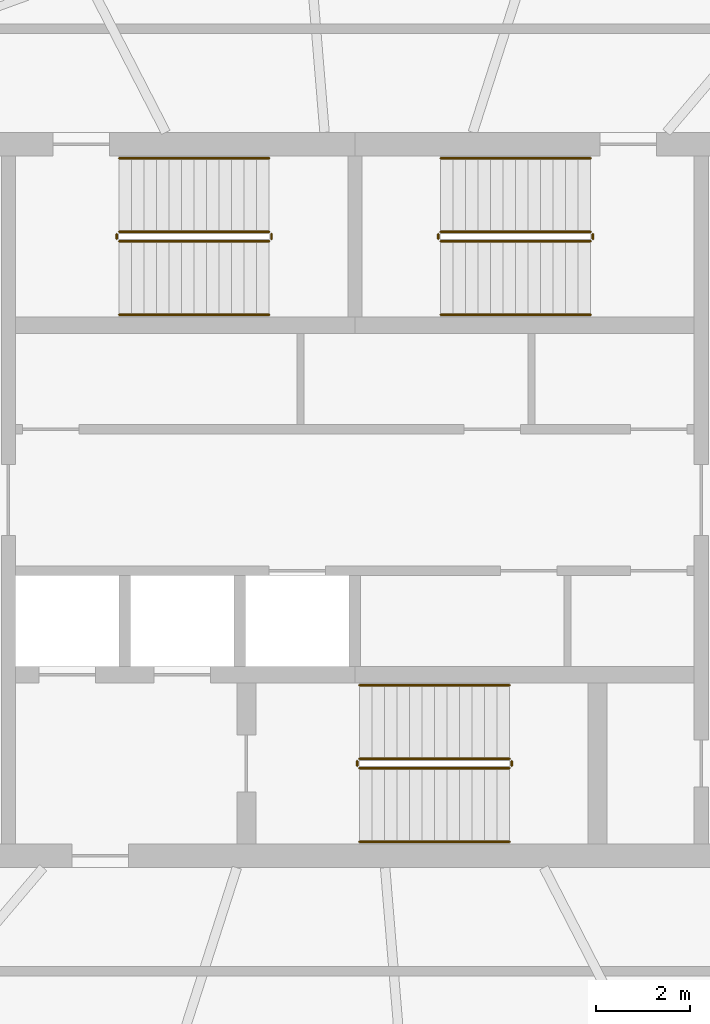
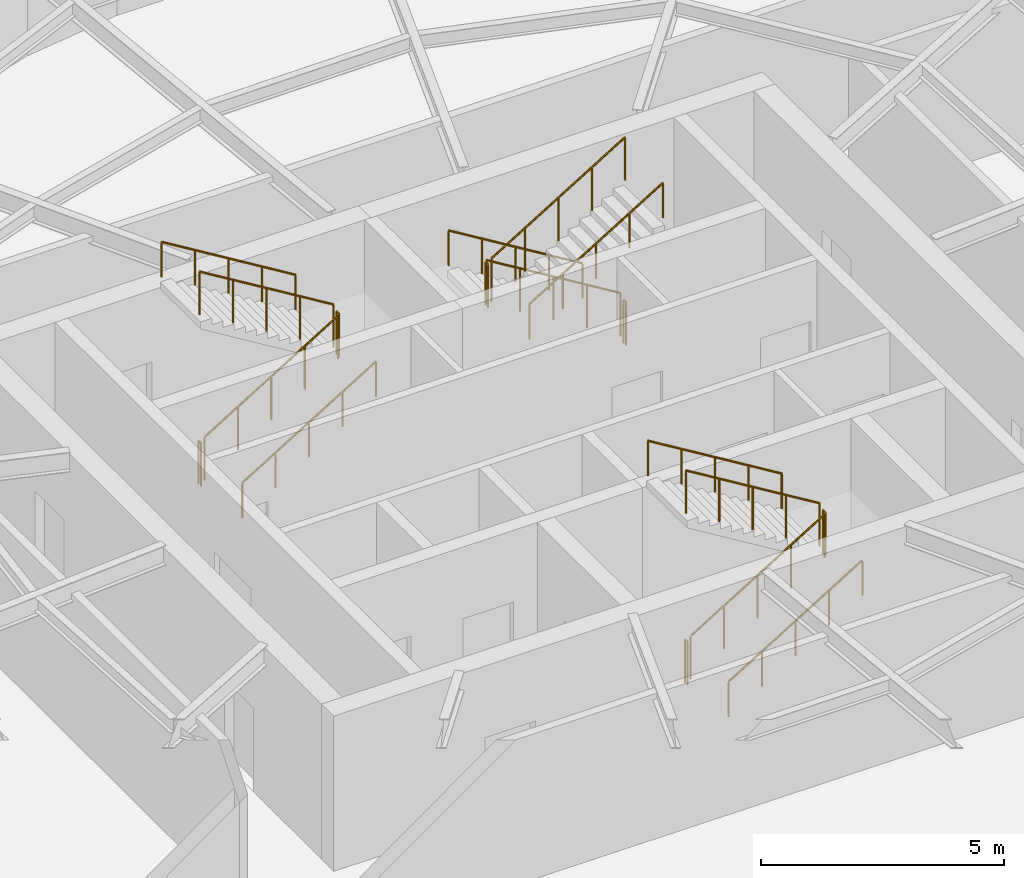
# One storey, part 6 of 6: 18 railings.
"""IFC4 building model written with IfcOpenShell, lengths in metres."""

from ifc_helpers import new_model, si_unit, direction, frame, origin, origin_2d, place, context, subcontext, project, spatial, circle, extrude, material, type_object, element, save


model = new_model("IFC4")

# Units and contexts
model_context = context("Model", 3, precision=1e-05, world=origin(), true_north=direction((0.0, 1.0)))
body_context = subcontext(model_context, "Body", "Model", "MODEL_VIEW")
ifc_project = project(units=[si_unit("LENGTHUNIT", "METRE"), si_unit("AREAUNIT", "SQUARE_METRE"), si_unit("VOLUMEUNIT", "CUBIC_METRE"), si_unit("PLANEANGLEUNIT", "RADIAN"), si_unit("MASSUNIT", "GRAM", prefix="KILO")], contexts=[model_context])

# Site, building, storey
site_placement = place(None, origin())
site = spatial("IfcSite", under=ifc_project, at=site_placement, CompositionType="ELEMENT")
building_placement = place(site_placement, origin())
building = spatial("IfcBuilding", under=site, at=building_placement, Name="Vermilion Reach Broadcast Tower", CompositionType="ELEMENT")
storey_placement = place(building_placement, frame((0.0, 0.0, 312.89990234375)))
storey = spatial("IfcBuildingStorey", under=building, at=storey_placement, Name="L78 CROWN", CompositionType="ELEMENT", Elevation=312.89990234375)

# Railings
ifc_material_1 = material(Name="Stainless steel", Category="steel")
railing_type_1 = type_object("IfcRailingType", Name="Stair guard 1100", PredefinedType="GUARDRAIL", material=ifc_material_1)
railing_1_placement = place(storey_placement, frame((-11.0, 5.489990234375, 0.16162109375)))
element("IfcRailing", 1, at=railing_1_placement, inside=storey, type_object=railing_type_1, Name="L78 CROWN ST1 stair guard 1", PredefinedType="GUARDRAIL", context=body_context, shape_type="SweptSolid", body=[
    extrude(circle(Radius=0.02392578125, at=origin_2d()), frame((0.0, 0.0, 1.076171875), z_axis=(0.853856579767, 0.0, 0.520508348818), x_axis=(0.0, 1.0, 0.0)), (0.0, 0.0, 1.0), 3.72412109375),
    extrude(circle(Radius=0.02099609375, at=origin_2d()), origin(), (0.0, 0.0, 1.0), 1.052001953125),
    extrude(circle(Radius=0.02099609375, at=origin_2d()), frame((0.794921875, 0.0, 0.484619140625)), (0.0, 0.0, 1.0), 1.052001953125),
    extrude(circle(Radius=0.02099609375, at=origin_2d()), frame((1.58984375, 0.0, 0.96923828125)), (0.0, 0.0, 1.0), 1.052001953125),
    extrude(circle(Radius=0.02099609375, at=origin_2d()), frame((2.385009765625, 0.0, 1.453857421875)), (0.0, 0.0, 1.0), 1.052001953125),
    extrude(circle(Radius=0.02099609375, at=origin_2d()), frame((3.179931640625, 0.0, 1.9384765625)), (0.0, 0.0, 1.0), 1.052001953125),
])
railing_2_placement = place(storey_placement, frame((-7.77001953125, 5.5400390625, 2.10009765625)))
element("IfcRailing", 2, at=railing_2_placement, inside=storey, type_object=railing_type_1, Name="L78 CROWN ST1 stair guard 2", PredefinedType="GUARDRAIL", context=body_context, shape_type="SweptSolid", body=[
    extrude(circle(Radius=0.02392578125, at=origin_2d()), frame((0.0, 0.0, 1.076171875), z_axis=(0.0, 1.0, 0.0), x_axis=(-1.0, 0.0, 0.0)), (0.0, 0.0, 1.0), 0.099853515625),
    extrude(circle(Radius=0.02099609375, at=origin_2d()), origin(), (0.0, 0.0, 1.0), 1.052001953125),
    extrude(circle(Radius=0.02099609375, at=origin_2d()), frame((0.0, 0.099853515625, 0.0)), (0.0, 0.0, 1.0), 1.052001953125),
])
railing_3_placement = place(storey_placement, frame((-7.820068359375, 5.68994140625, 2.26171875)))
element("IfcRailing", 3, at=railing_3_placement, inside=storey, type_object=railing_type_1, Name="L78 CROWN ST1 stair guard 3", PredefinedType="GUARDRAIL", context=body_context, shape_type="SweptSolid", body=[
    extrude(circle(Radius=0.02392578125, at=origin_2d()), frame((0.0, 0.0, 1.076171875), z_axis=(-0.853856579767, 0.0, 0.520508348818), x_axis=(0.0, -1.0, 0.0)), (0.0, 0.0, 1.0), 3.72412109375),
    extrude(circle(Radius=0.02099609375, at=origin_2d()), origin(), (0.0, 0.0, 1.0), 1.052001953125),
    extrude(circle(Radius=0.02099609375, at=origin_2d()), frame((-0.794921875, 0.0, 0.484619140625)), (0.0, 0.0, 1.0), 1.052001953125),
    extrude(circle(Radius=0.02099609375, at=origin_2d()), frame((-1.58984375, 0.0, 0.96923828125)), (0.0, 0.0, 1.0), 1.052001953125),
    extrude(circle(Radius=0.02099609375, at=origin_2d()), frame((-2.385009765625, 0.0, 1.453857421875)), (0.0, 0.0, 1.0), 1.052001953125),
    extrude(circle(Radius=0.02099609375, at=origin_2d()), frame((-3.179931640625, 0.0, 1.9384765625)), (0.0, 0.0, 1.0), 1.052001953125),
])
railing_4_placement = place(storey_placement, frame((-11.050048828125, 5.5400390625, 0.0)))
element("IfcRailing", 4, at=railing_4_placement, inside=storey, type_object=railing_type_1, Name="L78 CROWN ST1 stair guard 4", PredefinedType="GUARDRAIL", context=body_context, shape_type="SweptSolid", body=[
    extrude(circle(Radius=0.02392578125, at=origin_2d()), frame((0.0, 0.0, 1.076171875), z_axis=(0.0, 1.0, 0.0), x_axis=(-1.0, 0.0, 0.0)), (0.0, 0.0, 1.0), 0.099853515625),
    extrude(circle(Radius=0.02099609375, at=origin_2d()), origin(), (0.0, 0.0, 1.0), 1.052001953125),
    extrude(circle(Radius=0.02099609375, at=origin_2d()), frame((0.0, 0.099853515625, 0.0)), (0.0, 0.0, 1.0), 1.052001953125),
])
railing_5_placement = place(storey_placement, frame((-1.0, 5.68994140625, 0.16162109375)))
element("IfcRailing", 5, at=railing_5_placement, inside=storey, type_object=railing_type_1, Name="L78 CROWN ST2 stair guard 1", PredefinedType="GUARDRAIL", context=body_context, shape_type="SweptSolid", body=[
    extrude(circle(Radius=0.02392578125, at=origin_2d()), frame((0.0, 0.0, 1.076171875), z_axis=(-0.853856579767, 0.0, 0.520508348818), x_axis=(0.0, -1.0, 0.0)), (0.0, 0.0, 1.0), 3.72412109375),
    extrude(circle(Radius=0.02099609375, at=origin_2d()), origin(), (0.0, 0.0, 1.0), 1.052001953125),
    extrude(circle(Radius=0.02099609375, at=origin_2d()), frame((-0.794921875, 0.0, 0.484619140625)), (0.0, 0.0, 1.0), 1.052001953125),
    extrude(circle(Radius=0.02099609375, at=origin_2d()), frame((-1.58984375, 0.0, 0.96923828125)), (0.0, 0.0, 1.0), 1.052001953125),
    extrude(circle(Radius=0.02099609375, at=origin_2d()), frame((-2.385009765625, 0.0, 1.453857421875)), (0.0, 0.0, 1.0), 1.052001953125),
    extrude(circle(Radius=0.02099609375, at=origin_2d()), frame((-3.179931640625, 0.0, 1.9384765625)), (0.0, 0.0, 1.0), 1.052001953125),
])
railing_6_placement = place(storey_placement, frame((-4.22998046875, 5.639892578125, 2.10009765625)))
element("IfcRailing", 6, at=railing_6_placement, inside=storey, type_object=railing_type_1, Name="L78 CROWN ST2 stair guard 2", PredefinedType="GUARDRAIL", context=body_context, shape_type="SweptSolid", body=[
    extrude(circle(Radius=0.02392578125, at=origin_2d()), frame((0.0, 0.0, 1.076171875), z_axis=(0.0, -1.0, 0.0), x_axis=(1.0, 0.0, 0.0)), (0.0, 0.0, 1.0), 0.099853515625),
    extrude(circle(Radius=0.02099609375, at=origin_2d()), origin(), (0.0, 0.0, 1.0), 1.052001953125),
    extrude(circle(Radius=0.02099609375, at=origin_2d()), frame((0.0, -0.099853515625, 0.0)), (0.0, 0.0, 1.0), 1.052001953125),
])
railing_7_placement = place(storey_placement, frame((-4.179931640625, 5.489990234375, 2.26171875)))
element("IfcRailing", 7, at=railing_7_placement, inside=storey, type_object=railing_type_1, Name="L78 CROWN ST2 stair guard 3", PredefinedType="GUARDRAIL", context=body_context, shape_type="SweptSolid", body=[
    extrude(circle(Radius=0.02392578125, at=origin_2d()), frame((0.0, 0.0, 1.076171875), z_axis=(0.853856579767, 0.0, 0.520508348818), x_axis=(0.0, 1.0, 0.0)), (0.0, 0.0, 1.0), 3.72412109375),
    extrude(circle(Radius=0.02099609375, at=origin_2d()), origin(), (0.0, 0.0, 1.0), 1.052001953125),
    extrude(circle(Radius=0.02099609375, at=origin_2d()), frame((0.794921875, 0.0, 0.484619140625)), (0.0, 0.0, 1.0), 1.052001953125),
    extrude(circle(Radius=0.02099609375, at=origin_2d()), frame((1.58984375, 0.0, 0.96923828125)), (0.0, 0.0, 1.0), 1.052001953125),
    extrude(circle(Radius=0.02099609375, at=origin_2d()), frame((2.385009765625, 0.0, 1.453857421875)), (0.0, 0.0, 1.0), 1.052001953125),
    extrude(circle(Radius=0.02099609375, at=origin_2d()), frame((3.179931640625, 0.0, 1.9384765625)), (0.0, 0.0, 1.0), 1.052001953125),
])
railing_8_placement = place(storey_placement, frame((-0.949951171875, 5.639892578125, 0.0)))
element("IfcRailing", 8, at=railing_8_placement, inside=storey, type_object=railing_type_1, Name="L78 CROWN ST2 stair guard 4", PredefinedType="GUARDRAIL", context=body_context, shape_type="SweptSolid", body=[
    extrude(circle(Radius=0.02392578125, at=origin_2d()), frame((0.0, 0.0, 1.076171875), z_axis=(0.0, -1.0, 0.0), x_axis=(1.0, 0.0, 0.0)), (0.0, 0.0, 1.0), 0.099853515625),
    extrude(circle(Radius=0.02099609375, at=origin_2d()), origin(), (0.0, 0.0, 1.0), 1.052001953125),
    extrude(circle(Radius=0.02099609375, at=origin_2d()), frame((0.0, -0.099853515625, 0.0)), (0.0, 0.0, 1.0), 1.052001953125),
])
railing_9_placement = place(storey_placement, frame((-5.89990234375, -5.68994140625, 0.16162109375)))
element("IfcRailing", 9, at=railing_9_placement, inside=storey, type_object=railing_type_1, Name="L78 CROWN ST3 stair guard 1", PredefinedType="GUARDRAIL", context=body_context, shape_type="SweptSolid", body=[
    extrude(circle(Radius=0.02392578125, at=origin_2d()), frame((0.0, 0.0, 1.076171875), z_axis=(0.853856579767, 0.0, 0.520508348818), x_axis=(0.0, 1.0, 0.0)), (0.0, 0.0, 1.0), 3.72412109375),
    extrude(circle(Radius=0.02099609375, at=origin_2d()), origin(), (0.0, 0.0, 1.0), 1.052001953125),
    extrude(circle(Radius=0.02099609375, at=origin_2d()), frame((0.794921875, 0.0, 0.484619140625)), (0.0, 0.0, 1.0), 1.052001953125),
    extrude(circle(Radius=0.02099609375, at=origin_2d()), frame((1.58984375, 0.0, 0.96923828125)), (0.0, 0.0, 1.0), 1.052001953125),
    extrude(circle(Radius=0.02099609375, at=origin_2d()), frame((2.385009765625, 0.0, 1.453857421875)), (0.0, 0.0, 1.0), 1.052001953125),
    extrude(circle(Radius=0.02099609375, at=origin_2d()), frame((3.179931640625, 0.0, 1.9384765625)), (0.0, 0.0, 1.0), 1.052001953125),
])
railing_10_placement = place(storey_placement, frame((-2.669921875, -5.639892578125, 2.10009765625)))
element("IfcRailing", 10, at=railing_10_placement, inside=storey, type_object=railing_type_1, Name="L78 CROWN ST3 stair guard 2", PredefinedType="GUARDRAIL", context=body_context, shape_type="SweptSolid", body=[
    extrude(circle(Radius=0.02392578125, at=origin_2d()), frame((0.0, 0.0, 1.076171875), z_axis=(0.0, 1.0, 0.0), x_axis=(-1.0, 0.0, 0.0)), (0.0, 0.0, 1.0), 0.099853515625),
    extrude(circle(Radius=0.02099609375, at=origin_2d()), origin(), (0.0, 0.0, 1.0), 1.052001953125),
    extrude(circle(Radius=0.02099609375, at=origin_2d()), frame((0.0, 0.099853515625, 0.0)), (0.0, 0.0, 1.0), 1.052001953125),
])
railing_11_placement = place(storey_placement, frame((-2.719970703125, -5.489990234375, 2.26171875)))
element("IfcRailing", 11, at=railing_11_placement, inside=storey, type_object=railing_type_1, Name="L78 CROWN ST3 stair guard 3", PredefinedType="GUARDRAIL", context=body_context, shape_type="SweptSolid", body=[
    extrude(circle(Radius=0.02392578125, at=origin_2d()), frame((0.0, 0.0, 1.076171875), z_axis=(-0.853856579767, 0.0, 0.520508348818), x_axis=(0.0, -1.0, 0.0)), (0.0, 0.0, 1.0), 3.72412109375),
    extrude(circle(Radius=0.02099609375, at=origin_2d()), origin(), (0.0, 0.0, 1.0), 1.052001953125),
    extrude(circle(Radius=0.02099609375, at=origin_2d()), frame((-0.794921875, 0.0, 0.484619140625)), (0.0, 0.0, 1.0), 1.052001953125),
    extrude(circle(Radius=0.02099609375, at=origin_2d()), frame((-1.58984375, 0.0, 0.96923828125)), (0.0, 0.0, 1.0), 1.052001953125),
    extrude(circle(Radius=0.02099609375, at=origin_2d()), frame((-2.385009765625, 0.0, 1.453857421875)), (0.0, 0.0, 1.0), 1.052001953125),
    extrude(circle(Radius=0.02099609375, at=origin_2d()), frame((-3.179931640625, 0.0, 1.9384765625)), (0.0, 0.0, 1.0), 1.052001953125),
])
railing_12_placement = place(storey_placement, frame((-5.949951171875, -5.639892578125, 0.0)))
element("IfcRailing", 12, at=railing_12_placement, inside=storey, type_object=railing_type_1, Name="L78 CROWN ST3 stair guard 4", PredefinedType="GUARDRAIL", context=body_context, shape_type="SweptSolid", body=[
    extrude(circle(Radius=0.02392578125, at=origin_2d()), frame((0.0, 0.0, 1.076171875), z_axis=(0.0, 1.0, 0.0), x_axis=(-1.0, 0.0, 0.0)), (0.0, 0.0, 1.0), 0.099853515625),
    extrude(circle(Radius=0.02099609375, at=origin_2d()), origin(), (0.0, 0.0, 1.0), 1.052001953125),
    extrude(circle(Radius=0.02099609375, at=origin_2d()), frame((0.0, 0.099853515625, 0.0)), (0.0, 0.0, 1.0), 1.052001953125),
])
ifc_material_2 = material(Name="Stainless steel", Category="steel")
railing_type_2 = type_object("IfcRailingType", Name="Stair handrail", PredefinedType="HANDRAIL", material=ifc_material_2)
railing_13_placement = place(storey_placement, frame((-11.0, 3.929931640625, 0.16162109375)))
element("IfcRailing", 13, at=railing_13_placement, inside=storey, type_object=railing_type_2, Name="L78 CROWN ST1 stair handrail 1", PredefinedType="HANDRAIL", context=body_context, shape_type="SweptSolid", body=[
    extrude(circle(Radius=0.02392578125, at=origin_2d()), frame((0.0, 0.0, 0.8759765625), z_axis=(0.853856579767, 0.0, 0.520508348818), x_axis=(0.0, 1.0, 0.0)), (0.0, 0.0, 1.0), 3.72412109375),
    extrude(circle(Radius=0.02099609375, at=origin_2d()), origin(), (0.0, 0.0, 1.0), 0.851806640625),
    extrude(circle(Radius=0.02099609375, at=origin_2d()), frame((0.794921875, 0.0, 0.484619140625)), (0.0, 0.0, 1.0), 0.851806640625),
    extrude(circle(Radius=0.02099609375, at=origin_2d()), frame((1.58984375, 0.0, 0.96923828125)), (0.0, 0.0, 1.0), 0.851806640625),
    extrude(circle(Radius=0.02099609375, at=origin_2d()), frame((2.385009765625, 0.0, 1.453857421875)), (0.0, 0.0, 1.0), 0.851806640625),
    extrude(circle(Radius=0.02099609375, at=origin_2d()), frame((3.179931640625, 0.0, 1.9384765625)), (0.0, 0.0, 1.0), 0.851806640625),
])
for number, where, name in (
    (14, (-7.820068359375, 7.25, 2.26171875), "L78 CROWN ST1 stair handrail 2"),
    (15, (-1.0, 7.25, 0.16162109375), "L78 CROWN ST2 stair handrail 1"),
):
    element("IfcRailing", number, at=place(storey_placement, frame(where)), inside=storey, type_object=railing_type_2, Name=name, PredefinedType="HANDRAIL", context=body_context, shape_type="SweptSolid", body=[
        extrude(circle(Radius=0.02392578125, at=origin_2d()), frame((0.0, 0.0, 0.8759765625), z_axis=(-0.853856579767, 0.0, 0.520508348818), x_axis=(0.0, -1.0, 0.0)), (0.0, 0.0, 1.0), 3.72412109375),
        extrude(circle(Radius=0.02099609375, at=origin_2d()), origin(), (0.0, 0.0, 1.0), 0.851806640625),
        extrude(circle(Radius=0.02099609375, at=origin_2d()), frame((-0.794921875, 0.0, 0.484619140625)), (0.0, 0.0, 1.0), 0.851806640625),
        extrude(circle(Radius=0.02099609375, at=origin_2d()), frame((-1.58984375, 0.0, 0.96923828125)), (0.0, 0.0, 1.0), 0.851806640625),
        extrude(circle(Radius=0.02099609375, at=origin_2d()), frame((-2.385009765625, 0.0, 1.453857421875)), (0.0, 0.0, 1.0), 0.851806640625),
        extrude(circle(Radius=0.02099609375, at=origin_2d()), frame((-3.179931640625, 0.0, 1.9384765625)), (0.0, 0.0, 1.0), 0.851806640625),
    ])
for number, where, name in (
    (16, (-4.179931640625, 3.929931640625, 2.26171875), "L78 CROWN ST2 stair handrail 2"),
    (17, (-5.89990234375, -7.25, 0.16162109375), "L78 CROWN ST3 stair handrail 1"),
):
    element("IfcRailing", number, at=place(storey_placement, frame(where)), inside=storey, type_object=railing_type_2, Name=name, PredefinedType="HANDRAIL", context=body_context, shape_type="SweptSolid", body=[
        extrude(circle(Radius=0.02392578125, at=origin_2d()), frame((0.0, 0.0, 0.8759765625), z_axis=(0.853856579767, 0.0, 0.520508348818), x_axis=(0.0, 1.0, 0.0)), (0.0, 0.0, 1.0), 3.72412109375),
        extrude(circle(Radius=0.02099609375, at=origin_2d()), origin(), (0.0, 0.0, 1.0), 0.851806640625),
        extrude(circle(Radius=0.02099609375, at=origin_2d()), frame((0.794921875, 0.0, 0.484619140625)), (0.0, 0.0, 1.0), 0.851806640625),
        extrude(circle(Radius=0.02099609375, at=origin_2d()), frame((1.58984375, 0.0, 0.96923828125)), (0.0, 0.0, 1.0), 0.851806640625),
        extrude(circle(Radius=0.02099609375, at=origin_2d()), frame((2.385009765625, 0.0, 1.453857421875)), (0.0, 0.0, 1.0), 0.851806640625),
        extrude(circle(Radius=0.02099609375, at=origin_2d()), frame((3.179931640625, 0.0, 1.9384765625)), (0.0, 0.0, 1.0), 0.851806640625),
    ])
railing_14_placement = place(storey_placement, frame((-2.719970703125, -3.929931640625, 2.26171875)))
element("IfcRailing", 18, at=railing_14_placement, inside=storey, type_object=railing_type_2, Name="L78 CROWN ST3 stair handrail 2", PredefinedType="HANDRAIL", context=body_context, shape_type="SweptSolid", body=[
    extrude(circle(Radius=0.02392578125, at=origin_2d()), frame((0.0, 0.0, 0.8759765625), z_axis=(-0.853856579767, 0.0, 0.520508348818), x_axis=(0.0, -1.0, 0.0)), (0.0, 0.0, 1.0), 3.72412109375),
    extrude(circle(Radius=0.02099609375, at=origin_2d()), origin(), (0.0, 0.0, 1.0), 0.851806640625),
    extrude(circle(Radius=0.02099609375, at=origin_2d()), frame((-0.794921875, 0.0, 0.484619140625)), (0.0, 0.0, 1.0), 0.851806640625),
    extrude(circle(Radius=0.02099609375, at=origin_2d()), frame((-1.58984375, 0.0, 0.96923828125)), (0.0, 0.0, 1.0), 0.851806640625),
    extrude(circle(Radius=0.02099609375, at=origin_2d()), frame((-2.385009765625, 0.0, 1.453857421875)), (0.0, 0.0, 1.0), 0.851806640625),
    extrude(circle(Radius=0.02099609375, at=origin_2d()), frame((-3.179931640625, 0.0, 1.9384765625)), (0.0, 0.0, 1.0), 0.851806640625),
])

save(model, "model.ifc")
